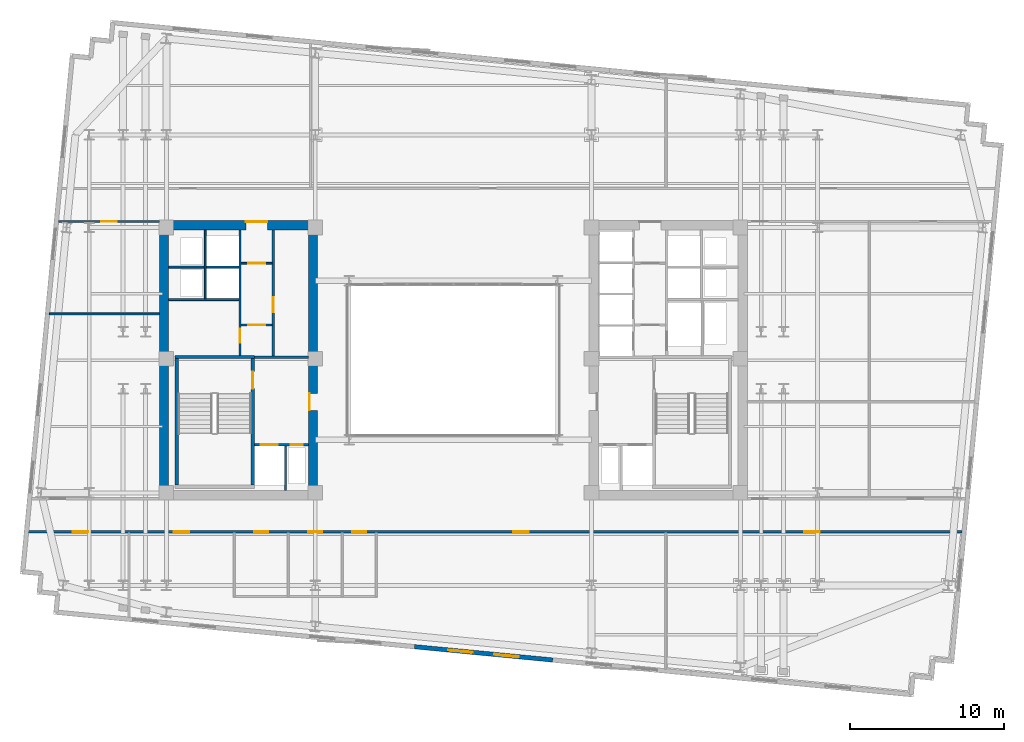
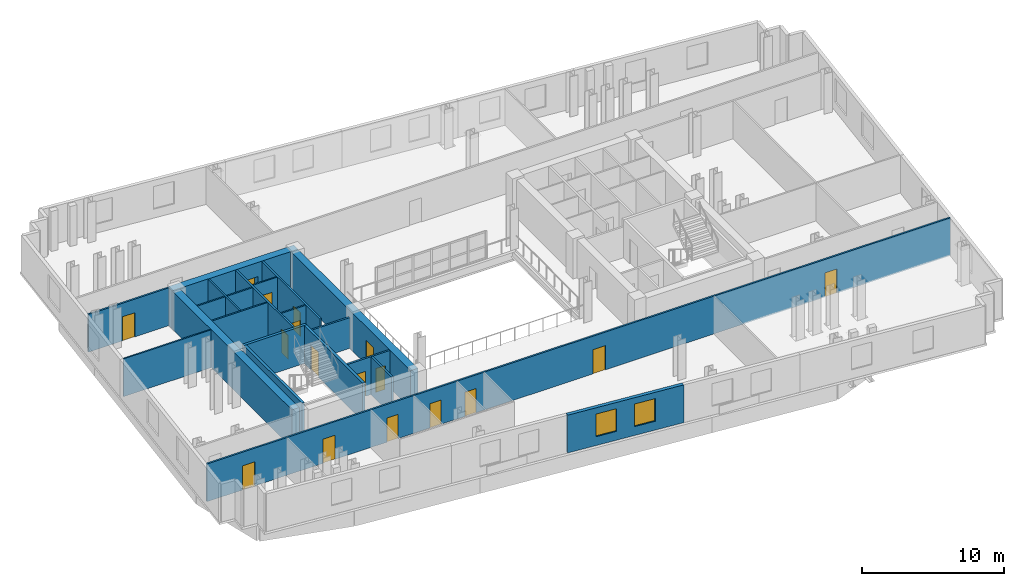
# One storey, part 5 of 11: 21 walls, 17 doors, 2 windows, 19 openings.
"""IFC4 building model written with IfcOpenShell, lengths in metres."""

from ifc_helpers import new_model, si_unit, direction, frame, frame_2d, origin, place, context, subcontext, project, spatial, rectangle, extrude, material, layer, layer_set, type_object, element, fill, save


model = new_model("IFC4")

# Units and contexts
model_context = context("Model", 3, precision=1e-05, world=origin(), true_north=direction((0.0, 1.0)))
body_context = subcontext(model_context, "Body", "Model", "MODEL_VIEW")
ifc_project = project(units=[si_unit("LENGTHUNIT", "METRE"), si_unit("AREAUNIT", "SQUARE_METRE"), si_unit("VOLUMEUNIT", "CUBIC_METRE"), si_unit("PLANEANGLEUNIT", "RADIAN"), si_unit("MASSUNIT", "GRAM", prefix="KILO")], contexts=[model_context])

# Site, building, storey
site_placement = place(None, origin())
site = spatial("IfcSite", under=ifc_project, at=site_placement, CompositionType="ELEMENT")
building_placement = place(site_placement, origin())
building = spatial("IfcBuilding", under=site, at=building_placement, Name="Velakula Bourse", CompositionType="ELEMENT")
storey_placement = place(building_placement, frame((0.0, 0.0, 160.39990234375)))
storey = spatial("IfcBuildingStorey", under=building, at=storey_placement, Name="L43", CompositionType="ELEMENT", Elevation=160.39990234375)

# Wall, opening, door
ifc_material_1 = material(Name="Concrete M50 (fck 50 MPa)", Category="concrete")
ifc_layer_1 = layer(ifc_material_1, 0.2099609375, Name="Concrete M50 (fck 50 MPa)", Category="concrete")
ifc_layer_set_1 = layer_set([ifc_layer_1], Name="Concrete M50 (fck 50 MPa)")
wall_type_1 = type_object("IfcWallType", Name="WL-CORE-210", PredefinedType="SHEAR", material=ifc_layer_set_1)
wall_1_placement = place(storey_placement, frame((-12.9951171875, -8.10009765625, 0.0), z_axis=(0.0, 0.0, 1.0), x_axis=(0.0, 1.0, 0.0)))
wall_1 = element("IfcWall", 1, at=wall_1_placement, inside=storey, type_object=wall_type_1, Name="L43 Core W Stairwell Shear Wall IN", PredefinedType="SHEAR", context=body_context, shape_type="SweptSolid", body=[
    extrude(rectangle(XDim=8.2001953125, YDim=0.2099609375, at=frame_2d((4.10009765625, 0.0))), origin(), (0.0, 0.0, 1.0), 3.27001953125),
])
opening_1_placement = place(wall_1_placement, frame((6.25, 0.0, 0.0)))
opening_1 = element("IfcOpeningElement", 2, at=opening_1_placement, cuts=wall_1, Name="Opening D-STW1", PredefinedType="OPENING", context=body_context, shape_type="SweptSolid", body=[
    extrude(rectangle(XDim=1.10009765625, YDim=2.14990234375, at=frame_2d((0.550048828125, 1.074951171875))), frame((0.0, 0.114990234375, 0.0), z_axis=(0.0, -1.0, 0.0), x_axis=(1.0, 0.0, 0.0)), (0.0, 0.0, 1.0), 0.22998046875),
])
ifc_material_2 = material(Name="Galvanised painted hollow steel fire door", Category="steel")
door_type_1 = type_object("IfcDoorType", Name="DR-FD120-1100x2150", OperationType="NOTDEFINED", PredefinedType="DOOR", material=ifc_material_2)
door_1_placement = place(opening_1_placement, origin())
door_1 = element("IfcDoor", 3, at=door_1_placement, inside=storey, type_object=door_type_1, Name="L43 Stair ST-W1 Fire Door", OperationType="SINGLE_SWING_LEFT", OverallHeight=2.14990234375, OverallWidth=1.10009765625, PredefinedType="DOOR", context=body_context, shape_type="SweptSolid", body=[
    extrude(rectangle(XDim=1.10009765625, YDim=2.14990234375, at=frame_2d((0.550048828125, 1.074951171875))), frame((0.0, 0.02490234375, 0.0), z_axis=(0.0, -1.0, 0.0), x_axis=(1.0, 0.0, 0.0)), (0.0, 0.0, 1.0), 0.050048828125),
])
fill(opening_1, door_1)

# Walls
wall_2_placement = place(storey_placement, frame((-17.925048828125, -8.10009765625, 0.0), z_axis=(0.0, 0.0, 1.0), x_axis=(0.0, 1.0, 0.0)))
element("IfcWall", 4, at=wall_2_placement, inside=storey, type_object=wall_type_1, Name="L43 Core W Stairwell Shear Wall OUT", PredefinedType="SHEAR", context=body_context, shape_type="SweptSolid", body=[
    extrude(rectangle(XDim=8.2001953125, YDim=0.2099609375, at=frame_2d((4.10009765625, 0.0))), origin(), (0.0, 0.0, 1.0), 3.27001953125),
])
wall_3_placement = place(storey_placement, frame((-12.889892578125, 0.205078125, 0.0), z_axis=(0.0, 0.0, 1.0), x_axis=(-1.0, 0.0, 0.0)))
element("IfcWall", 5, at=wall_3_placement, inside=storey, type_object=wall_type_1, Name="L43 Core W Stairwell Shear Wall N", PredefinedType="SHEAR", context=body_context, shape_type="SweptSolid", body=[
    extrude(rectangle(XDim=5.14013671875, YDim=0.2099609375, at=frame_2d((2.570068359375, 0.0))), origin(), (0.0, 0.0, 1.0), 3.27001953125),
])

# Wall, opening, door
ifc_material_3 = material(Name="Concrete M70 (fck 70 MPa)", Category="concrete")
ifc_layer_2 = layer(ifc_material_3, 0.60009765625, Name="Concrete M70 (fck 70 MPa)", Category="concrete")
ifc_layer_set_2 = layer_set([ifc_layer_2], Name="Concrete M70 (fck 70 MPa)")
wall_type_2 = type_object("IfcWallType", Name="WL-CORE-600", PredefinedType="SHEAR", material=ifc_layer_set_2)
wall_4_placement = place(storey_placement, frame((-19.050048828125, 8.75, 0.0), z_axis=(0.0, 0.0, 1.0), x_axis=(1.0, 0.0, 0.0)))
wall_4 = element("IfcWall", 6, at=wall_4_placement, inside=storey, type_object=wall_type_2, Name="L43 Core W Shear Wall N", PredefinedType="SHEAR", context=body_context, shape_type="SweptSolid", body=[
    extrude(rectangle(XDim=10.25, YDim=0.60009765625, at=frame_2d((5.125, 0.0))), origin(), (0.0, 0.0, 1.0), 3.27001953125),
])
opening_2_placement = place(wall_4_placement, frame((5.60009765625, 0.0, 0.0)))
opening_2 = element("IfcOpeningElement", 7, at=opening_2_placement, cuts=wall_4, Name="Opening D-LLW", PredefinedType="OPENING", context=body_context, shape_type="SweptSolid", body=[
    extrude(rectangle(XDim=1.39990234375, YDim=2.050048828125, at=frame_2d((0.699951171875, 1.02490234375))), frame((0.0, 0.31005859375, 0.0), z_axis=(0.0, -1.0, 0.0), x_axis=(1.0, 0.0, 0.0)), (0.0, 0.0, 1.0), 0.6201171875),
])
ifc_material_4 = material(Name="Fire-rated hardwood flush architectural door", Category="wood")
door_type_2 = type_object("IfcDoorType", Name="DR-DBL-FD60-1400", OperationType="DOUBLE_DOOR_SINGLE_SWING", PredefinedType="DOOR", material=ifc_material_4)
door_2_placement = place(opening_2_placement, origin())
door_2 = element("IfcDoor", 8, at=door_2_placement, inside=storey, type_object=door_type_2, Name="L43 Core W Lift Lobby Corridor Double Door", OperationType="DOUBLE_DOOR_SINGLE_SWING", OverallHeight=2.050048828125, OverallWidth=1.39990234375, PredefinedType="DOOR", context=body_context, shape_type="SweptSolid", body=[
    extrude(rectangle(XDim=1.39990234375, YDim=2.050048828125, at=frame_2d((0.699951171875, 1.02490234375))), frame((0.0, 0.2451171875, 0.0), z_axis=(0.0, -1.0, 0.0), x_axis=(1.0, 0.0, 0.0)), (0.0, 0.0, 1.0), 0.050048828125),
])
fill(opening_2, door_2)

# Wall
wall_5_placement = place(storey_placement, frame((-18.75, -8.449951171875, 0.0), z_axis=(0.0, 0.0, 1.0), x_axis=(0.0, 1.0, 0.0)))
element("IfcWall", 9, at=wall_5_placement, inside=storey, type_object=wall_type_2, Name="L43 Core W Shear Wall W", PredefinedType="SHEAR", context=body_context, shape_type="SweptSolid", body=[
    extrude(rectangle(XDim=16.89990234375, YDim=0.60009765625, at=frame_2d((8.449951171875, 0.0))), origin(), (0.0, 0.0, 1.0), 3.27001953125),
])

# Wall, opening, door
wall_6_placement = place(storey_placement, frame((-9.10009765625, -8.449951171875, 0.0), z_axis=(0.0, 0.0, 1.0), x_axis=(0.0, 1.0, 0.0)))
wall_6 = element("IfcWall", 10, at=wall_6_placement, inside=storey, type_object=wall_type_2, Name="L43 Core W Shear Wall E", PredefinedType="SHEAR", context=body_context, shape_type="SweptSolid", body=[
    extrude(rectangle(XDim=16.89990234375, YDim=0.60009765625, at=frame_2d((8.449951171875, 0.0))), origin(), (0.0, 0.0, 1.0), 3.27001953125),
])
opening_3_placement = place(wall_6_placement, frame((5.199951171875, 0.0, 0.0)))
opening_3 = element("IfcOpeningElement", 11, at=opening_3_placement, cuts=wall_6, Name="Opening D-FLW", PredefinedType="OPENING", context=body_context, shape_type="SweptSolid", body=[
    extrude(rectangle(XDim=1.10009765625, YDim=2.080078125, at=frame_2d((0.550048828125, 1.0400390625))), frame((0.0, 0.31005859375, 0.0), z_axis=(0.0, -1.0, 0.0), x_axis=(1.0, 0.0, 0.0)), (0.0, 0.0, 1.0), 0.6201171875),
])
door_type_3 = type_object("IfcDoorType", Name="DR-FD120-1100", OperationType="NOTDEFINED", PredefinedType="DOOR", material=ifc_material_2)
door_3_placement = place(opening_3_placement, origin())
door_3 = element("IfcDoor", 12, at=door_3_placement, inside=storey, type_object=door_type_3, Name="L43 Firefighting Lobby W Corridor Fire Door", OperationType="SINGLE_SWING_LEFT", OverallHeight=2.080078125, OverallWidth=1.10009765625, PredefinedType="DOOR", context=body_context, shape_type="SweptSolid", body=[
    extrude(rectangle(XDim=1.10009765625, YDim=2.080078125, at=frame_2d((0.550048828125, 1.0400390625))), frame((0.0, 0.2548828125, 0.0), z_axis=(0.0, -1.0, 0.0), x_axis=(1.0, 0.0, 0.0)), (0.0, 0.0, 1.0), 0.050048828125),
])
fill(opening_3, door_3)

# Wall, openings, windows
ifc_material_5 = material(Name="Red kilned clay facing brick masonry", Category="masonry")
ifc_layer_3 = layer(ifc_material_5, 0.280029296875, Name="Red kilned clay facing brick masonry", Category="masonry")
ifc_layer_set_3 = layer_set([ifc_layer_3], Name="Red kilned clay facing brick masonry")
wall_type_3 = type_object("IfcWallType", Name="WL-EXT-BRK-280", PredefinedType="STANDARD", material=ifc_layer_set_3)
wall_7_placement = place(storey_placement, frame((6.43994140625, -19.432861328125, 0.0), z_axis=(0.0, 0.0, 1.0), x_axis=(-0.995396794462, 0.09583956164, 0.0)))
wall_7 = element("IfcWall", 13, at=wall_7_placement, inside=storey, type_object=wall_type_3, Name="L43 S Brick Spandrel Wall B3", PredefinedType="STANDARD", context=body_context, shape_type="SweptSolid", body=[
    extrude(rectangle(XDim=9.0, YDim=0.280029296875, at=frame_2d((4.5, 0.0))), origin(), (0.0, 0.0, 1.0), 3.25),
])
opening_4_placement = place(wall_7_placement, frame((2.199951171875, 0.0, 0.760009765625)))
opening_4 = element("IfcOpeningElement", 14, at=opening_4_placement, cuts=wall_7, Name="Opening W-02", PredefinedType="OPENING", context=body_context, shape_type="SweptSolid", body=[
    extrude(rectangle(XDim=1.60009765625, YDim=1.949951171875, at=frame_2d((0.800048828125, 0.97509765625))), frame((0.0, 0.14990234375, 0.0), z_axis=(0.0, -1.0, 0.0), x_axis=(1.0, 0.0, 0.0)), (0.0, 0.0, 1.0), 0.300048828125),
])
opening_5_placement = place(wall_7_placement, frame((5.199951171875, 0.0, 0.760009765625)))
opening_5 = element("IfcOpeningElement", 15, at=opening_5_placement, cuts=wall_7, Name="Opening W-02", PredefinedType="OPENING", context=body_context, shape_type="SweptSolid", body=[
    extrude(rectangle(XDim=1.60009765625, YDim=1.949951171875, at=frame_2d((0.800048828125, 0.97509765625))), frame((0.0, 0.14990234375, 0.0), z_axis=(0.0, -1.0, 0.0), x_axis=(1.0, 0.0, 0.0)), (0.0, 0.0, 1.0), 0.300048828125),
])
ifc_material_6 = material(Name="Double-glazed solar-control Low-E glass", Category="glass")
window_type = type_object("IfcWindowType", Name="WIN-TWR-1600x2100", PartitioningType="SINGLE_PANEL", PredefinedType="WINDOW", material=ifc_material_6)
window_1_placement = place(opening_4_placement, origin())
window_1 = element("IfcWindow", 16, at=window_1_placement, inside=storey, type_object=window_type, Name="L43 Deep-Set Recessed Window 1", OverallHeight=1.949951171875, OverallWidth=1.60009765625, PartitioningType="SINGLE_PANEL", PredefinedType="WINDOW", context=body_context, shape_type="SweptSolid", body=[
    extrude(rectangle(XDim=1.60009765625, YDim=1.949951171875, at=frame_2d((0.800048828125, 0.97509765625))), frame((0.0, 0.030029296875, 0.0), z_axis=(0.0, -1.0, 0.0), x_axis=(1.0, 0.0, 0.0)), (0.0, 0.0, 1.0), 0.06005859375),
])
fill(opening_4, window_1)
window_2_placement = place(opening_5_placement, origin())
window_2 = element("IfcWindow", 17, at=window_2_placement, inside=storey, type_object=window_type, Name="L43 Deep-Set Recessed Window 2", OverallHeight=1.949951171875, OverallWidth=1.60009765625, PartitioningType="SINGLE_PANEL", PredefinedType="WINDOW", context=body_context, shape_type="SweptSolid", body=[
    extrude(rectangle(XDim=1.60009765625, YDim=1.949951171875, at=frame_2d((0.800048828125, 0.97509765625))), frame((0.0, 0.030029296875, 0.0), z_axis=(0.0, -1.0, 0.0), x_axis=(1.0, 0.0, 0.0)), (0.0, 0.0, 1.0), 0.06005859375),
])
fill(opening_5, window_2)

# Wall, opening, door
ifc_material_7 = material(Name="Fire-rated double-layer gypsum drywall partition", Category="gypsum")
ifc_layer_4 = layer(ifc_material_7, 0.1201171875, Name="Fire-rated double-layer gypsum drywall partition", Category="gypsum")
ifc_layer_set_4 = layer_set([ifc_layer_4], Name="Fire-rated double-layer gypsum drywall partition")
wall_type_4 = type_object("IfcWallType", Name="WL-PART-120", PredefinedType="STANDARD", material=ifc_layer_set_4)
wall_8_placement = place(storey_placement, frame((-13.75, 2.280029296875, 0.0), z_axis=(0.0, 0.0, 1.0), x_axis=(1.0, 0.0, 0.0)))
wall_8 = element("IfcWall", 18, at=wall_8_placement, inside=storey, type_object=wall_type_4, Name="L43 Interior Partition WL-CRW-L43-LL-K3A", PredefinedType="STANDARD", context=body_context, shape_type="SweptSolid", body=[
    extrude(rectangle(XDim=2.0, YDim=0.1201171875, at=frame_2d((1.0, 0.0))), origin(), (0.0, 0.0, 1.0), 3.25),
])
opening_6_placement = place(wall_8_placement, frame((0.449951171875, 0.0, 0.0)))
opening_6 = element("IfcOpeningElement", 19, at=opening_6_placement, cuts=wall_8, Name="Opening D-LK3", PredefinedType="OPENING", context=body_context, shape_type="SweptSolid", body=[
    extrude(rectangle(XDim=1.10009765625, YDim=2.10009765625, at=frame_2d((0.550048828125, 1.050048828125))), frame((0.0, 0.070068359375, 0.0), z_axis=(0.0, -1.0, 0.0), x_axis=(1.0, 0.0, 0.0)), (0.0, 0.0, 1.0), 0.14013671875),
])
door_type_4 = type_object("IfcDoorType", Name="DR-FD60-1100x2100", OperationType="NOTDEFINED", PredefinedType="DOOR", material=ifc_material_4)
door_4_placement = place(opening_6_placement, origin())
door_4 = element("IfcDoor", 20, at=door_4_placement, inside=storey, type_object=door_type_4, Name="L43 Core W Lift Lobby Vestibule Door A", OperationType="SINGLE_SWING_RIGHT", OverallHeight=2.10009765625, OverallWidth=1.10009765625, PredefinedType="DOOR", context=body_context, shape_type="SweptSolid", body=[
    extrude(rectangle(XDim=1.10009765625, YDim=2.10009765625, at=frame_2d((0.550048828125, 1.050048828125))), frame((0.0, 0.02490234375, 0.0), z_axis=(0.0, -1.0, 0.0), x_axis=(1.0, 0.0, 0.0)), (0.0, 0.0, 1.0), 0.050048828125),
])
fill(opening_6, door_4)

wall_9_placement = place(storey_placement, frame((-13.75, 6.280029296875, 0.0), z_axis=(0.0, 0.0, 1.0), x_axis=(1.0, 0.0, 0.0)))
wall_9 = element("IfcWall", 21, at=wall_9_placement, inside=storey, type_object=wall_type_4, Name="L43 Interior Partition WL-CRW-L43-LL-K3B", PredefinedType="STANDARD", context=body_context, shape_type="SweptSolid", body=[
    extrude(rectangle(XDim=2.0, YDim=0.1201171875, at=frame_2d((1.0, 0.0))), origin(), (0.0, 0.0, 1.0), 3.25),
])
opening_7_placement = place(wall_9_placement, frame((0.449951171875, 0.0, 0.0)))
opening_7 = element("IfcOpeningElement", 22, at=opening_7_placement, cuts=wall_9, Name="Opening D-LK3", PredefinedType="OPENING", context=body_context, shape_type="SweptSolid", body=[
    extrude(rectangle(XDim=1.10009765625, YDim=2.10009765625, at=frame_2d((0.550048828125, 1.050048828125))), frame((0.0, 0.070068359375, 0.0), z_axis=(0.0, -1.0, 0.0), x_axis=(1.0, 0.0, 0.0)), (0.0, 0.0, 1.0), 0.14013671875),
])
door_5_placement = place(opening_7_placement, origin())
door_5 = element("IfcDoor", 23, at=door_5_placement, inside=storey, type_object=door_type_4, Name="L43 Core W Lift Lobby Vestibule Door B", OperationType="SINGLE_SWING_RIGHT", OverallHeight=2.10009765625, OverallWidth=1.10009765625, PredefinedType="DOOR", context=body_context, shape_type="SweptSolid", body=[
    extrude(rectangle(XDim=1.10009765625, YDim=2.10009765625, at=frame_2d((0.550048828125, 1.050048828125))), frame((0.0, 0.02490234375, 0.0), z_axis=(0.0, -1.0, 0.0), x_axis=(1.0, 0.0, 0.0)), (0.0, 0.0, 1.0), 0.050048828125),
])
fill(opening_7, door_5)

# Walls
wall_10_placement = place(storey_placement, frame((-18.449951171875, 3.919921875, 0.0), z_axis=(0.0, 0.0, 1.0), x_axis=(1.0, 0.0, 0.0)))
element("IfcWall", 24, at=wall_10_placement, inside=storey, type_object=wall_type_4, Name="L43 Interior Partition WL-CRW-L43-HI-S", PredefinedType="STANDARD", context=body_context, shape_type="SweptSolid", body=[
    extrude(rectangle(XDim=4.550048828125, YDim=0.1201171875, at=frame_2d((2.27490234375, 0.0))), origin(), (0.0, 0.0, 1.0), 3.25),
])
wall_11_placement = place(storey_placement, frame((-18.449951171875, 6.030029296875, 0.0), z_axis=(0.0, 0.0, 1.0), x_axis=(1.0, 0.0, 0.0)))
element("IfcWall", 25, at=wall_11_placement, inside=storey, type_object=wall_type_4, Name="L43 Interior Partition WL-CRW-L43-RIS-MID", PredefinedType="STANDARD", context=body_context, shape_type="SweptSolid", body=[
    extrude(rectangle(XDim=2.300048828125, YDim=0.1201171875, at=frame_2d((1.14990234375, 0.0))), origin(), (0.0, 0.0, 1.0), 3.25),
])
wall_12_placement = place(storey_placement, frame((-16.074951171875, 3.97998046875, 0.0), z_axis=(0.0, 0.0, 1.0), x_axis=(0.0, 1.0, 0.0)))
element("IfcWall", 26, at=wall_12_placement, inside=storey, type_object=wall_type_4, Name="L43 Interior Partition WL-CRW-L43-RIS-F", PredefinedType="STANDARD", context=body_context, shape_type="SweptSolid", body=[
    extrude(rectangle(XDim=4.469970703125, YDim=0.1201171875, at=frame_2d((2.23486328125, 0.0))), origin(), (0.0, 0.0, 1.0), 3.25),
])
wall_13_placement = place(storey_placement, frame((-16.0, 6.030029296875, 0.0), z_axis=(0.0, 0.0, 1.0), x_axis=(1.0, 0.0, 0.0)))
element("IfcWall", 27, at=wall_13_placement, inside=storey, type_object=wall_type_4, Name="L43 Interior Partition WL-CRW-L43-HI-DIV", PredefinedType="STANDARD", context=body_context, shape_type="SweptSolid", body=[
    extrude(rectangle(XDim=2.10009765625, YDim=0.1201171875, at=frame_2d((1.050048828125, 0.0))), origin(), (0.0, 0.0, 1.0), 3.25),
])
wall_14_placement = place(storey_placement, frame((-26.18017578125, 3.0, 0.0), z_axis=(0.0, 0.0, 1.0), x_axis=(1.0, 0.0, 0.0)))
element("IfcWall", 28, at=wall_14_placement, inside=storey, type_object=wall_type_4, Name="L43 Interior Partition WL-INT-L43-W-H", PredefinedType="STANDARD", context=body_context, shape_type="SweptSolid", body=[
    extrude(rectangle(XDim=7.130126953125, YDim=0.1201171875, at=frame_2d((3.56494140625, 0.0))), origin(), (0.0, 0.0, 1.0), 3.25),
])

# Wall, openings, doors
ifc_layer_5 = layer(ifc_material_7, 0.139892578125, Name="Fire-rated double-layer gypsum drywall partition", Category="gypsum")
ifc_layer_set_5 = layer_set([ifc_layer_5], Name="Fire-rated double-layer gypsum drywall partition")
wall_type_5 = type_object("IfcWallType", Name="WL-PART-140", PredefinedType="STANDARD", material=ifc_layer_set_5)
wall_15_placement = place(storey_placement, frame((-27.539794921875, -11.1201171875, 0.0), z_axis=(0.0, 0.0, 1.0), x_axis=(1.0, 0.0, 0.0)))
wall_15 = element("IfcWall", 29, at=wall_15_placement, inside=storey, type_object=wall_type_5, Name="L43 Interior Partition WL-INT-L43-S-CORR", PredefinedType="STANDARD", context=body_context, shape_type="SweptSolid", body=[
    extrude(rectangle(XDim=60.518798828125, YDim=0.139892578125, at=frame_2d((30.25927734375, 0.0))), origin(), (0.0, 0.0, 1.0), 3.25),
])
opening_8_placement = place(wall_15_placement, frame((14.629638671875, 0.0, 0.0)))
opening_8 = element("IfcOpeningElement", 30, at=opening_8_placement, cuts=wall_15, Name="Opening D-WT1", PredefinedType="OPENING", context=body_context, shape_type="SweptSolid", body=[
    extrude(rectangle(XDim=0.919921875, YDim=2.080078125, at=frame_2d((0.4599609375, 1.0400390625))), frame((0.0, 0.079833984375, 0.0), z_axis=(0.0, -1.0, 0.0), x_axis=(1.0, 0.0, 0.0)), (0.0, 0.0, 1.0), 0.159912109375),
])
opening_9_placement = place(wall_15_placement, frame((18.129638671875, 0.0, 0.0)))
opening_9 = element("IfcOpeningElement", 31, at=opening_9_placement, cuts=wall_15, Name="Opening D-WT1", PredefinedType="OPENING", context=body_context, shape_type="SweptSolid", body=[
    extrude(rectangle(XDim=0.919921875, YDim=2.080078125, at=frame_2d((0.4599609375, 1.0400390625))), frame((0.0, 0.079833984375, 0.0), z_axis=(0.0, -1.0, 0.0), x_axis=(1.0, 0.0, 0.0)), (0.0, 0.0, 1.0), 0.159912109375),
])
opening_10_placement = place(wall_15_placement, frame((20.979736328125, 0.0, 0.0)))
opening_10 = element("IfcOpeningElement", 32, at=opening_10_placement, cuts=wall_15, Name="Opening D-WC1", PredefinedType="OPENING", context=body_context, shape_type="SweptSolid", body=[
    extrude(rectangle(XDim=0.919921875, YDim=2.080078125, at=frame_2d((0.4599609375, 1.0400390625))), frame((0.0, 0.079833984375, 0.0), z_axis=(0.0, -1.0, 0.0), x_axis=(1.0, 0.0, 0.0)), (0.0, 0.0, 1.0), 0.159912109375),
])
opening_11_placement = place(wall_15_placement, frame((2.8837890625, 0.0, 0.0)))
opening_11 = element("IfcOpeningElement", 33, at=opening_11_placement, cuts=wall_15, Name="Opening D-OF1", PredefinedType="OPENING", context=body_context, shape_type="SweptSolid", body=[
    extrude(rectangle(XDim=1.0, YDim=2.080078125, at=frame_2d((0.5, 1.0400390625))), frame((0.0, 0.079833984375, 0.0), z_axis=(0.0, -1.0, 0.0), x_axis=(1.0, 0.0, 0.0)), (0.0, 0.0, 1.0), 0.159912109375),
])
opening_12_placement = place(wall_15_placement, frame((9.427734375, 0.0, 0.0)))
opening_12 = element("IfcOpeningElement", 34, at=opening_12_placement, cuts=wall_15, Name="Opening D-OF1", PredefinedType="OPENING", context=body_context, shape_type="SweptSolid", body=[
    extrude(rectangle(XDim=1.0, YDim=2.080078125, at=frame_2d((0.5, 1.0400390625))), frame((0.0, 0.079833984375, 0.0), z_axis=(0.0, -1.0, 0.0), x_axis=(1.0, 0.0, 0.0)), (0.0, 0.0, 1.0), 0.159912109375),
])
opening_13_placement = place(wall_15_placement, frame((31.422607421875, 0.0, 0.0)))
opening_13 = element("IfcOpeningElement", 35, at=opening_13_placement, cuts=wall_15, Name="Opening D-OF1", PredefinedType="OPENING", context=body_context, shape_type="SweptSolid", body=[
    extrude(rectangle(XDim=1.0, YDim=2.080078125, at=frame_2d((0.5, 1.0400390625))), frame((0.0, 0.079833984375, 0.0), z_axis=(0.0, -1.0, 0.0), x_axis=(1.0, 0.0, 0.0)), (0.0, 0.0, 1.0), 0.159912109375),
])
opening_14_placement = place(wall_15_placement, frame((50.2861328125, 0.0, 0.0)))
opening_14 = element("IfcOpeningElement", 36, at=opening_14_placement, cuts=wall_15, Name="Opening D-OF1", PredefinedType="OPENING", context=body_context, shape_type="SweptSolid", body=[
    extrude(rectangle(XDim=1.0, YDim=2.080078125, at=frame_2d((0.5, 1.0400390625))), frame((0.0, 0.079833984375, 0.0), z_axis=(0.0, -1.0, 0.0), x_axis=(1.0, 0.0, 0.0)), (0.0, 0.0, 1.0), 0.159912109375),
])
door_type_5 = type_object("IfcDoorType", Name="DR-OFF-1000", OperationType="NOTDEFINED", PredefinedType="DOOR", material=ifc_material_4)
door_6_placement = place(opening_11_placement, origin())
door_6 = element("IfcDoor", 37, at=door_6_placement, inside=storey, type_object=door_type_5, Name="L43 Traders Bistro Restaurant Door", OperationType="SINGLE_SWING_LEFT", OverallHeight=2.080078125, OverallWidth=1.0, PredefinedType="DOOR", context=body_context, shape_type="SweptSolid", body=[
    extrude(rectangle(XDim=1.0, YDim=2.080078125, at=frame_2d((0.5, 1.0400390625))), frame((0.0, 0.02490234375, 0.0), z_axis=(0.0, -1.0, 0.0), x_axis=(1.0, 0.0, 0.0)), (0.0, 0.0, 1.0), 0.050048828125),
])
fill(opening_11, door_6)
door_7_placement = place(opening_12_placement, origin())
door_7 = element("IfcDoor", 38, at=door_7_placement, inside=storey, type_object=door_type_5, Name="L43 Asset Allocation Office Door", OperationType="SINGLE_SWING_RIGHT", OverallHeight=2.080078125, OverallWidth=1.0, PredefinedType="DOOR", context=body_context, shape_type="SweptSolid", body=[
    extrude(rectangle(XDim=1.0, YDim=2.080078125, at=frame_2d((0.5, 1.0400390625))), frame((0.0, 0.02490234375, 0.0), z_axis=(0.0, -1.0, 0.0), x_axis=(1.0, 0.0, 0.0)), (0.0, 0.0, 1.0), 0.050048828125),
])
fill(opening_12, door_7)
door_8_placement = place(opening_13_placement, origin())
door_8 = element("IfcDoor", 39, at=door_8_placement, inside=storey, type_object=door_type_5, Name="L43 Arbitration Conference Room Door", OperationType="SINGLE_SWING_LEFT", OverallHeight=2.080078125, OverallWidth=1.0, PredefinedType="DOOR", context=body_context, shape_type="SweptSolid", body=[
    extrude(rectangle(XDim=1.0, YDim=2.080078125, at=frame_2d((0.5, 1.0400390625))), frame((0.0, 0.02490234375, 0.0), z_axis=(0.0, -1.0, 0.0), x_axis=(1.0, 0.0, 0.0)), (0.0, 0.0, 1.0), 0.050048828125),
])
fill(opening_13, door_8)
door_9_placement = place(opening_14_placement, origin())
door_9 = element("IfcDoor", 40, at=door_9_placement, inside=storey, type_object=door_type_5, Name="L43 Tea Room Kitchenette Door", OperationType="SINGLE_SWING_RIGHT", OverallHeight=2.080078125, OverallWidth=1.0, PredefinedType="DOOR", context=body_context, shape_type="SweptSolid", body=[
    extrude(rectangle(XDim=1.0, YDim=2.080078125, at=frame_2d((0.5, 1.0400390625))), frame((0.0, 0.02490234375, 0.0), z_axis=(0.0, -1.0, 0.0), x_axis=(1.0, 0.0, 0.0)), (0.0, 0.0, 1.0), 0.050048828125),
])
fill(opening_14, door_9)
door_type_6 = type_object("IfcDoorType", Name="DR-WC-950", OperationType="NOTDEFINED", PredefinedType="DOOR", material=ifc_material_4)
door_10_placement = place(opening_8_placement, origin())
door_10 = element("IfcDoor", 41, at=door_10_placement, inside=storey, type_object=door_type_6, Name="L43 Male Staff Toilet Door", OperationType="SINGLE_SWING_RIGHT", OverallHeight=2.080078125, OverallWidth=0.919921875, PredefinedType="DOOR", context=body_context, shape_type="SweptSolid", body=[
    extrude(rectangle(XDim=0.919921875, YDim=2.080078125, at=frame_2d((0.4599609375, 1.0400390625))), frame((0.0, 0.02490234375, 0.0), z_axis=(0.0, -1.0, 0.0), x_axis=(1.0, 0.0, 0.0)), (0.0, 0.0, 1.0), 0.050048828125),
])
fill(opening_8, door_10)
door_11_placement = place(opening_9_placement, origin())
door_11 = element("IfcDoor", 42, at=door_11_placement, inside=storey, type_object=door_type_6, Name="L43 Female Staff Toilet Door", OperationType="SINGLE_SWING_LEFT", OverallHeight=2.080078125, OverallWidth=0.919921875, PredefinedType="DOOR", context=body_context, shape_type="SweptSolid", body=[
    extrude(rectangle(XDim=0.919921875, YDim=2.080078125, at=frame_2d((0.4599609375, 1.0400390625))), frame((0.0, 0.02490234375, 0.0), z_axis=(0.0, -1.0, 0.0), x_axis=(1.0, 0.0, 0.0)), (0.0, 0.0, 1.0), 0.050048828125),
])
fill(opening_9, door_11)
door_12_placement = place(opening_10_placement, origin())
door_12 = element("IfcDoor", 43, at=door_12_placement, inside=storey, type_object=door_type_6, Name="L43 Accessible WC Door", OperationType="SINGLE_SWING_RIGHT", OverallHeight=2.080078125, OverallWidth=0.919921875, PredefinedType="DOOR", context=body_context, shape_type="SweptSolid", body=[
    extrude(rectangle(XDim=0.919921875, YDim=2.080078125, at=frame_2d((0.4599609375, 1.0400390625))), frame((0.0, 0.02490234375, 0.0), z_axis=(0.0, -1.0, 0.0), x_axis=(1.0, 0.0, 0.0)), (0.0, 0.0, 1.0), 0.050048828125),
])
fill(opening_10, door_12)

# Wall, opening, door
wall_16_placement = place(storey_placement, frame((-25.604248046875, 8.97998046875, 0.0), z_axis=(0.0, 0.0, 1.0), x_axis=(1.0, 0.0, 0.0)))
wall_16 = element("IfcWall", 44, at=wall_16_placement, inside=storey, type_object=wall_type_5, Name="L43 Interior Partition WL-INT-L43-W-NC", PredefinedType="STANDARD", context=body_context, shape_type="SweptSolid", body=[
    extrude(rectangle(XDim=6.55419921875, YDim=0.139892578125, at=frame_2d((3.277099609375, 0.0))), origin(), (0.0, 0.0, 1.0), 3.25),
])
opening_15_placement = place(wall_16_placement, frame((2.777099609375, 0.0, 0.0)))
opening_15 = element("IfcOpeningElement", 45, at=opening_15_placement, cuts=wall_16, Name="Opening D-OF1", PredefinedType="OPENING", context=body_context, shape_type="SweptSolid", body=[
    extrude(rectangle(XDim=1.0, YDim=2.080078125, at=frame_2d((0.5, 1.0400390625))), frame((0.0, 0.079833984375, 0.0), z_axis=(0.0, -1.0, 0.0), x_axis=(1.0, 0.0, 0.0)), (0.0, 0.0, 1.0), 0.159912109375),
])
door_13_placement = place(opening_15_placement, origin())
door_13 = element("IfcDoor", 46, at=door_13_placement, inside=storey, type_object=door_type_5, Name="L43 General Counsel Office Door", OperationType="SINGLE_SWING_LEFT", OverallHeight=2.080078125, OverallWidth=1.0, PredefinedType="DOOR", context=body_context, shape_type="SweptSolid", body=[
    extrude(rectangle(XDim=1.0, YDim=2.080078125, at=frame_2d((0.5, 1.0400390625))), frame((0.0, 0.02490234375, 0.0), z_axis=(0.0, -1.0, 0.0), x_axis=(1.0, 0.0, 0.0)), (0.0, 0.0, 1.0), 0.050048828125),
])
fill(opening_15, door_13)

# Wall, openings, doors
ifc_material_8 = material(Name="Autoclaved aerated concrete blockwork masonry", Category="masonry")
ifc_layer_6 = layer(ifc_material_8, 0.14990234375, Name="Autoclaved aerated concrete blockwork masonry", Category="masonry")
ifc_layer_set_6 = layer_set([ifc_layer_6], Name="Autoclaved aerated concrete blockwork masonry")
wall_type_6 = type_object("IfcWallType", Name="WL-SHAFT-150", PredefinedType="STANDARD", material=ifc_layer_set_6)
wall_17_placement = place(storey_placement, frame((-12.89501953125, -5.47509765625, 0.0), z_axis=(0.0, 0.0, 1.0), x_axis=(1.0, 0.0, 0.0)))
wall_17 = element("IfcWall", 47, at=wall_17_placement, inside=storey, type_object=wall_type_6, Name="L43 Interior Partition WL-CRW-L43-FFL-N", PredefinedType="STANDARD", context=body_context, shape_type="SweptSolid", body=[
    extrude(rectangle(XDim=3.4951171875, YDim=0.14990234375, at=frame_2d((1.74755859375, 0.0))), origin(), (0.0, 0.0, 1.0), 3.25),
])
opening_16_placement = place(wall_17_placement, frame((0.419921875, 0.0, 0.0)))
opening_16 = element("IfcOpeningElement", 48, at=opening_16_placement, cuts=wall_17, Name="Opening LD-FFL-1", PredefinedType="OPENING", context=body_context, shape_type="SweptSolid", body=[
    extrude(rectangle(XDim=1.10009765625, YDim=2.14990234375, at=frame_2d((0.550048828125, 1.074951171875))), frame((0.0, 0.0849609375, 0.0), z_axis=(0.0, -1.0, 0.0), x_axis=(1.0, 0.0, 0.0)), (0.0, 0.0, 1.0), 0.169921875),
])
opening_17_placement = place(wall_17_placement, frame((2.3701171875, 0.0, 0.0)))
opening_17 = element("IfcOpeningElement", 49, at=opening_17_placement, cuts=wall_17, Name="Opening D-RS1", PredefinedType="OPENING", context=body_context, shape_type="SweptSolid", body=[
    extrude(rectangle(XDim=0.75, YDim=2.050048828125, at=frame_2d((0.375, 1.02490234375))), frame((0.0, 0.0849609375, 0.0), z_axis=(0.0, -1.0, 0.0), x_axis=(1.0, 0.0, 0.0)), (0.0, 0.0, 1.0), 0.169921875),
])
door_type_7 = type_object("IfcDoorType", Name="DR-RISER-800", OperationType="NOTDEFINED", PredefinedType="DOOR", material=ifc_material_2)
door_14_placement = place(opening_17_placement, origin())
door_14 = element("IfcDoor", 50, at=door_14_placement, inside=storey, type_object=door_type_7, Name="L43 Fire Riser Access Door", OperationType="SINGLE_SWING_RIGHT", OverallHeight=2.050048828125, OverallWidth=0.75, PredefinedType="DOOR", context=body_context, shape_type="SweptSolid", body=[
    extrude(rectangle(XDim=0.75, YDim=2.050048828125, at=frame_2d((0.375, 1.02490234375))), frame((0.0, 0.02490234375, 0.0), z_axis=(0.0, -1.0, 0.0), x_axis=(1.0, 0.0, 0.0)), (0.0, 0.0, 1.0), 0.050048828125),
])
fill(opening_17, door_14)
ifc_material_9 = material(Name="Brushed grade 316 stainless steel", Category="steel")
door_type_8 = type_object("IfcDoorType", Name="DR-SLIDE-FFL-1100", OperationType="DOUBLE_DOOR_SLIDING", PredefinedType="DOOR", material=ifc_material_9)
door_15_placement = place(opening_16_placement, origin())
door_15 = element("IfcDoor", 51, at=door_15_placement, inside=storey, type_object=door_type_8, Name="L43 Firefighting Lift FFL-1 Sliding Landing Door", OperationType="DOUBLE_DOOR_SLIDING", OverallHeight=2.14990234375, OverallWidth=1.10009765625, PredefinedType="DOOR", context=body_context, shape_type="SweptSolid", body=[
    extrude(rectangle(XDim=1.10009765625, YDim=2.14990234375, at=frame_2d((0.550048828125, 1.074951171875))), frame((0.0, 0.02490234375, 0.0), z_axis=(0.0, -1.0, 0.0), x_axis=(1.0, 0.0, 0.0)), (0.0, 0.0, 1.0), 0.050048828125),
])
fill(opening_16, door_15)

# Walls
wall_18_placement = place(storey_placement, frame((-10.875, -8.449951171875, 0.0), z_axis=(0.0, 0.0, 1.0), x_axis=(0.0, 1.0, 0.0)))
element("IfcWall", 52, at=wall_18_placement, inside=storey, type_object=wall_type_6, Name="L43 Interior Partition WL-CRW-L43-FR-DIV", PredefinedType="STANDARD", context=body_context, shape_type="SweptSolid", body=[
    extrude(rectangle(XDim=2.89990234375, YDim=0.14990234375, at=frame_2d((1.449951171875, 0.0))), origin(), (0.0, 0.0, 1.0), 3.25),
])
wall_19_placement = place(storey_placement, frame((-12.889892578125, 0.18994140625, 0.0), z_axis=(0.0, 0.0, 1.0), x_axis=(1.0, 0.0, 0.0)))
element("IfcWall", 53, at=wall_19_placement, inside=storey, type_object=wall_type_6, Name="L43 Interior Partition WL-CRW-L43-FF-TOP", PredefinedType="STANDARD", context=body_context, shape_type="SweptSolid", body=[
    extrude(rectangle(XDim=3.489990234375, YDim=0.14990234375, at=frame_2d((1.7451171875, 0.0))), origin(), (0.0, 0.0, 1.0), 2.64501953125),
])

# Wall, opening, door
wall_20_placement = place(storey_placement, frame((-11.675048828125, 0.27001953125, 0.0), z_axis=(0.0, 0.0, 1.0), x_axis=(0.0, 1.0, 0.0)))
wall_20 = element("IfcWall", 54, at=wall_20_placement, inside=storey, type_object=wall_type_6, Name="L43 Interior Partition WL-CRW-L43-BANK-F", PredefinedType="STANDARD", context=body_context, shape_type="SweptSolid", body=[
    extrude(rectangle(XDim=8.179931640625, YDim=0.14990234375, at=frame_2d((4.08984375, 0.0))), origin(), (0.0, 0.0, 1.0), 3.25),
])
opening_18_placement = place(wall_20_placement, frame((2.85009765625, 0.0, 0.0)))
opening_18 = element("IfcOpeningElement", 55, at=opening_18_placement, cuts=wall_20, Name="Opening D-RC4", PredefinedType="OPENING", context=body_context, shape_type="SweptSolid", body=[
    extrude(rectangle(XDim=0.949951171875, YDim=2.050048828125, at=frame_2d((0.47509765625, 1.02490234375))), frame((0.0, 0.0849609375, 0.0), z_axis=(0.0, -1.0, 0.0), x_axis=(1.0, 0.0, 0.0)), (0.0, 0.0, 1.0), 0.169921875),
])
door_type_9 = type_object("IfcDoorType", Name="DR-FD60-950x2050", OperationType="NOTDEFINED", PredefinedType="DOOR", material=ifc_material_4)
door_16_placement = place(opening_18_placement, origin())
door_16 = element("IfcDoor", 56, at=door_16_placement, inside=storey, type_object=door_type_9, Name="L43 Reclaimed Multi-Bay Archive Room Door", OperationType="SINGLE_SWING_RIGHT", OverallHeight=2.050048828125, OverallWidth=0.949951171875, PredefinedType="DOOR", context=body_context, shape_type="SweptSolid", body=[
    extrude(rectangle(XDim=0.949951171875, YDim=2.050048828125, at=frame_2d((0.47509765625, 1.02490234375))), frame((0.0, 0.02490234375, 0.0), z_axis=(0.0, -1.0, 0.0), x_axis=(1.0, 0.0, 0.0)), (0.0, 0.0, 1.0), 0.050048828125),
])
fill(opening_18, door_16)

wall_21_placement = place(storey_placement, frame((-13.824951171875, 0.27001953125, 0.0), z_axis=(0.0, 0.0, 1.0), x_axis=(0.0, 1.0, 0.0)))
wall_21 = element("IfcWall", 57, at=wall_21_placement, inside=storey, type_object=wall_type_6, Name="L43 Interior Partition WL-CRW-L43-OUT-F", PredefinedType="STANDARD", context=body_context, shape_type="SweptSolid", body=[
    extrude(rectangle(XDim=8.179931640625, YDim=0.14990234375, at=frame_2d((4.08984375, 0.0))), origin(), (0.0, 0.0, 1.0), 3.25),
])
opening_19_placement = place(wall_21_placement, frame((0.85009765625, 0.0, 0.0)))
opening_19 = element("IfcOpeningElement", 58, at=opening_19_placement, cuts=wall_21, Name="Opening D-CR3", PredefinedType="OPENING", context=body_context, shape_type="SweptSolid", body=[
    extrude(rectangle(XDim=0.89990234375, YDim=2.050048828125, at=frame_2d((0.449951171875, 1.02490234375))), frame((0.0, 0.0849609375, 0.0), z_axis=(0.0, -1.0, 0.0), x_axis=(1.0, 0.0, 0.0)), (0.0, 0.0, 1.0), 0.169921875),
])
door_type_10 = type_object("IfcDoorType", Name="DR-INT-900", OperationType="NOTDEFINED", PredefinedType="DOOR", material=ifc_material_4)
door_17_placement = place(opening_19_placement, origin())
door_17 = element("IfcDoor", 59, at=door_17_placement, inside=storey, type_object=door_type_10, Name="L43 Core Stationery and Mail Room Door", OperationType="SINGLE_SWING_RIGHT", OverallHeight=2.050048828125, OverallWidth=0.89990234375, PredefinedType="DOOR", context=body_context, shape_type="SweptSolid", body=[
    extrude(rectangle(XDim=0.89990234375, YDim=2.050048828125, at=frame_2d((0.449951171875, 1.02490234375))), frame((0.0, 0.02490234375, 0.0), z_axis=(0.0, -1.0, 0.0), x_axis=(1.0, 0.0, 0.0)), (0.0, 0.0, 1.0), 0.050048828125),
])
fill(opening_19, door_17)

save(model, "model.ifc")
